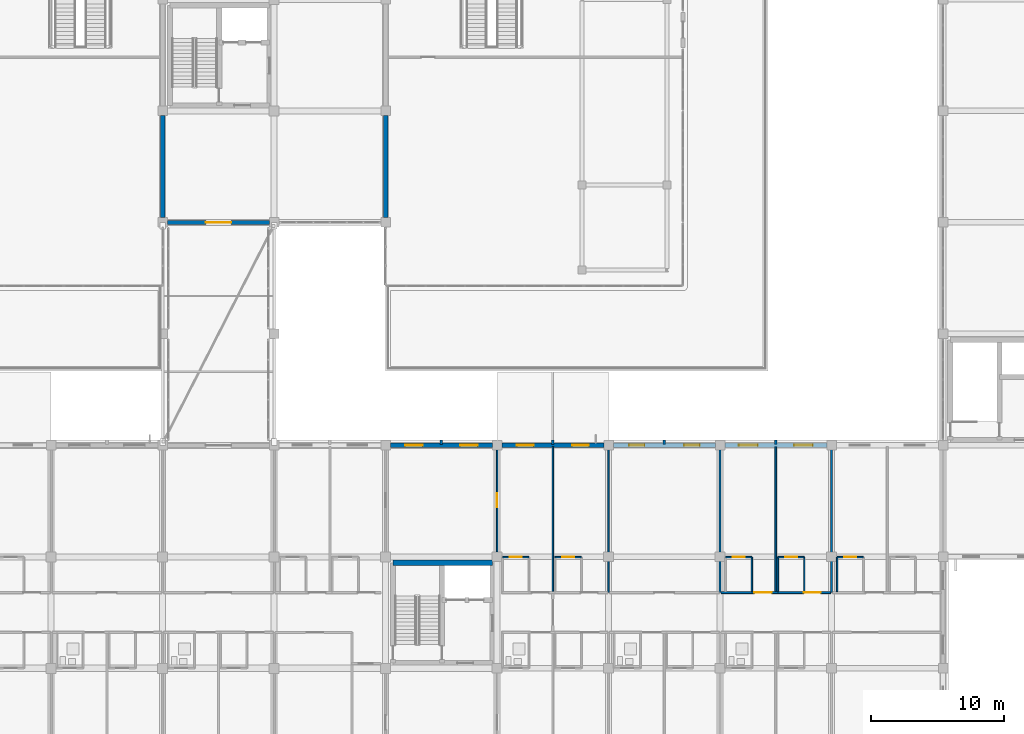
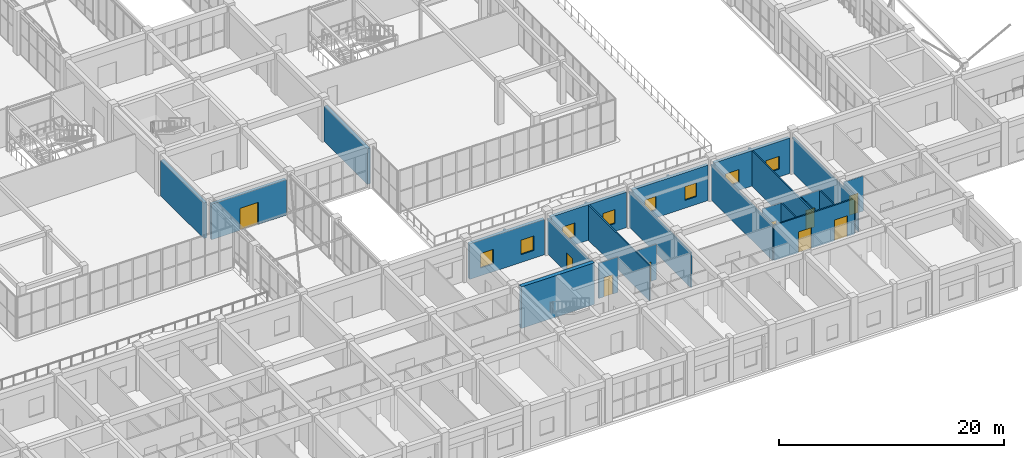
# One storey, part 123 of 158: 28 walls, 9 doors, 8 windows, 17 openings.
"""IFC4 building model written with IfcOpenShell, lengths in metres."""

import ifcopenshell
import ifcopenshell.guid

model = None  # the IFC model being written
_history = None  # IfcOwnerHistory: only IFC2X3 demands one
_inside = {}  # id of a spatial element -> (the spatial element, [elements in it])
_under = {}  # id of a project, library or spatial element -> (it, [spatial elements below it])
_declared = {}  # id of a project -> (the project, [libraries it declares])
_typed = {}  # id of a type object -> (the type object, [elements of that type])
_made_of = {}  # id of a material, layer set ... -> (it, [elements and type objects made of it])


def new_model(schema):
    """Start an empty IFC model of exactly this schema.

    Asked for "IFC4X3", IfcOpenShell would pick the latest addendum, in which some entities
    have other attributes; the version numbers below select the first issue.
    IFC2X3 requires an IfcOwnerHistory on every rooted entity: one is made here for all.
    """
    global model, _history
    if schema == "IFC4X3":
        model = ifcopenshell.file(schema_version=(4, 3, 0, 0))
    else:
        model = ifcopenshell.file(schema=schema)
    _inside.clear()
    _under.clear()
    _declared.clear()
    _typed.clear()
    _made_of.clear()
    _history = None
    if model.schema == "IFC2X3":
        org = make("IfcOrganization", Name="unknown")
        user = make(
            "IfcPersonAndOrganization",
            ThePerson=make("IfcPerson", FamilyName="unknown"),
            TheOrganization=org,
        )
        app = make(
            "IfcApplication",
            ApplicationDeveloper=org,
            Version="unknown",
            ApplicationFullName="unknown",
            ApplicationIdentifier="unknown",
        )
        _history = make(
            "IfcOwnerHistory",
            OwningUser=user,
            OwningApplication=app,
            ChangeAction="ADDED",
            CreationDate=0,
        )
    return model


def make(cls, **values):
    """One entity of the class cls with the attributes given. An attribute that is None is left unset."""
    return model.create_entity(
        cls, **{name: value for name, value in values.items() if value is not None}
    )


def rooted(cls, **values):
    """An entity with a GlobalId (a new one), such as an element, a storey or a relation."""
    return make(cls, GlobalId=ifcopenshell.guid.new(), OwnerHistory=_history, **values)


def si_unit(unit_type, name, prefix=None):
    """IfcSIUnit, for example si_unit("LENGTHUNIT", "METRE", prefix="MILLI")."""
    return make("IfcSIUnit", UnitType=unit_type, Prefix=prefix, Name=name)


def assignment(units):
    """IfcUnitAssignment: the units of a project."""
    return None if units is None else make("IfcUnitAssignment", Units=units)


def point(xyz):
    """IfcCartesianPoint."""
    return None if xyz is None else make("IfcCartesianPoint", Coordinates=xyz)


def direction(xyz):
    """IfcDirection."""
    return None if xyz is None else make("IfcDirection", DirectionRatios=xyz)


def frame(location, z_axis=None, x_axis=None):
    """IfcAxis2Placement3D, a coordinate frame: its origin and axes. An axis left out is left unset."""
    return make(
        "IfcAxis2Placement3D",
        Location=point(location),
        Axis=direction(z_axis),
        RefDirection=direction(x_axis),
    )


def frame_2d(location, x_axis=None):
    """IfcAxis2Placement2D, a coordinate frame in the plane: its origin and x axis."""
    return make(
        "IfcAxis2Placement2D", Location=point(location), RefDirection=direction(x_axis)
    )


def origin():
    """The frame at (0, 0, 0) with its axes left unset."""
    return frame((0.0, 0.0, 0.0))


def place(relative_to, where):
    """IfcLocalPlacement: puts the frame where relative to a parent placement (None: the world)."""
    return make(
        "IfcLocalPlacement", PlacementRelTo=relative_to, RelativePlacement=where
    )


def context(
    kind, dimensions, precision=None, world=None, true_north=None, identifier=None
):
    """IfcGeometricRepresentationContext, for example the 3D "Model" context."""
    return make(
        "IfcGeometricRepresentationContext",
        ContextIdentifier=identifier,
        ContextType=kind,
        CoordinateSpaceDimension=dimensions,
        Precision=precision,
        WorldCoordinateSystem=world,
        TrueNorth=true_north,
    )


def subcontext(parent, identifier, kind, view, scale=None):
    """IfcGeometricRepresentationSubContext, for example "Body" below "Model"."""
    return make(
        "IfcGeometricRepresentationSubContext",
        ContextIdentifier=identifier,
        ContextType=kind,
        ParentContext=parent,
        TargetScale=scale,
        TargetView=view,
    )


def project(units=None, contexts=None):
    """IfcProject with its units and contexts."""
    return rooted(
        "IfcProject",
        Name="project",
        RepresentationContexts=contexts,
        UnitsInContext=assignment(units),
    )


def spatial(cls, under=None, at=None, **own):
    """A site, building, storey or space (cls), placed at a placement, below another one or the project."""
    s = rooted(cls, ObjectPlacement=at, **own)
    if under is not None:
        _under.setdefault(under.id(), (under, []))[1].append(s)
    return s


def profile(cls, at=None, kind="AREA", **sizes):
    """A parametric profile (cls). Its sizes go by their IFC names, for example OverallWidth=200.0."""
    return make(cls, ProfileType=kind, Position=at, **sizes)


def rectangle(**sizes):
    """IfcRectangleProfileDef."""
    return profile("IfcRectangleProfileDef", **sizes)


def extrude(swept, where, along, depth):
    """IfcExtrudedAreaSolid: the profile swept, set in the frame where, extruded along a direction by depth."""
    return make(
        "IfcExtrudedAreaSolid",
        SweptArea=swept,
        Position=where,
        ExtrudedDirection=direction(along),
        Depth=depth,
    )


def shape(context_of_items, identifier, shape_type, items):
    """IfcShapeRepresentation: the items that make up one representation, for example the "Body"."""
    return make(
        "IfcShapeRepresentation",
        ContextOfItems=context_of_items,
        RepresentationIdentifier=identifier,
        RepresentationType=shape_type,
        Items=items,
    )


def material(Name=None, Category=None):
    """IfcMaterial."""
    return make("IfcMaterial", Name=Name, Category=Category)


def layer(
    of_material, thickness, ventilated=None, Name=None, Category=None, Priority=None
):
    """IfcMaterialLayer: one layer of a wall or slab, of a material (None: an air gap)."""
    return make(
        "IfcMaterialLayer",
        Material=of_material,
        LayerThickness=thickness,
        IsVentilated=ventilated,
        Name=Name,
        Category=Category,
        Priority=Priority,
    )


def layer_set(layers, Name=None):
    """IfcMaterialLayerSet."""
    return make("IfcMaterialLayerSet", MaterialLayers=layers, LayerSetName=Name)


def made_of(thing, what):
    """Note that an element or type object is made of a material, layer set ...; save() writes the relation."""
    if what is not None:
        _made_of.setdefault(what.id(), (what, []))[1].append(thing)
    return thing


def type_object(cls, material=None, **own):
    """A type object (cls), such as IfcWallType, which elements share."""
    return made_of(rooted(cls, **own), material)


def element(
    cls,
    number,
    at=None,
    inside=None,
    cuts=None,
    type_object=None,
    material=None,
    context=None,
    identifier="Body",
    shape_type=None,
    held_by="IfcProductDefinitionShape",
    body=None,
    shapes=None,
    **own,
):
    """One element of the class cls, such as IfcWall. Its Tag is "e" and its number.

    at: its placement. inside: the storey or other place that contains it. cuts: it is an
    opening in that element (IfcRelVoidsElement). A single representation is given by context,
    identifier, shape_type and body (its items); several are given by shapes. held_by: the class
    of the entity that holds the representations. save() writes the other relations.
    """
    e = rooted(cls, Tag="e%d" % number, ObjectPlacement=at, **own)
    if body is not None:
        shapes = [shape(context, identifier, shape_type, body)]
    if shapes is not None:
        e.Representation = make(held_by, Representations=shapes)
    if inside is not None:
        _inside.setdefault(inside.id(), (inside, []))[1].append(e)
    if cuts is not None:
        rooted(
            "IfcRelVoidsElement", RelatingBuildingElement=cuts, RelatedOpeningElement=e
        )
    if type_object is not None:
        _typed.setdefault(type_object.id(), (type_object, []))[1].append(e)
    return made_of(e, material)


def fill(opening, filler):
    """IfcRelFillsElement: the door or window that sits in an opening."""
    return rooted(
        "IfcRelFillsElement",
        RelatingOpeningElement=opening,
        RelatedBuildingElement=filler,
    )


def aggregate(whole, parts):
    """IfcRelAggregates: a whole, such as a stair, and the parts it consists of."""
    return rooted("IfcRelAggregates", RelatingObject=whole, RelatedObjects=parts)


def save(model, path):
    """Write the relations noted so far, then the file.

    IfcRelAggregates (storeys below a building ...), IfcRelContainedInSpatialStructure (elements
    in a storey), IfcRelDefinesByType, IfcRelAssociatesMaterial and IfcRelDeclares: one each for
    every whole, place, type object, material and project.
    """
    for whole, parts in _under.values():
        aggregate(whole, parts)
    for where, things in _inside.values():
        rooted(
            "IfcRelContainedInSpatialStructure",
            RelatedElements=things,
            RelatingStructure=where,
        )
    for kind, things in _typed.values():
        rooted("IfcRelDefinesByType", RelatedObjects=things, RelatingType=kind)
    for what, things in _made_of.values():
        rooted("IfcRelAssociatesMaterial", RelatedObjects=things, RelatingMaterial=what)
    for by, libraries in _declared.values():
        rooted("IfcRelDeclares", RelatingContext=by, RelatedDefinitions=libraries)
    model.write(path)


model = new_model("IFC4")

# Units and contexts
model_context = context("Model", 3, precision=1e-05, world=origin(), true_north=direction((0.0, 1.0)))
body_context = subcontext(model_context, "Body", "Model", "MODEL_VIEW")
ifc_project = project(units=[si_unit("LENGTHUNIT", "METRE"), si_unit("AREAUNIT", "SQUARE_METRE"), si_unit("VOLUMEUNIT", "CUBIC_METRE"), si_unit("PLANEANGLEUNIT", "RADIAN"), si_unit("MASSUNIT", "GRAM", prefix="KILO")], contexts=[model_context])

# Site, building, storey
site_placement = place(None, origin())
site = spatial("IfcSite", under=ifc_project, at=site_placement, CompositionType="ELEMENT")
building_placement = place(site_placement, origin())
building = spatial("IfcBuilding", under=site, at=building_placement, Name="Trelvath General Hospital", CompositionType="ELEMENT")
storey_placement = place(building_placement, frame((0.0, 0.0, 8.10009765625)))
storey = spatial("IfcBuildingStorey", under=building, at=storey_placement, Name="L02", CompositionType="ELEMENT", Elevation=8.10009765625)

# Walls
ifc_material_1 = material(Name="Precast concrete C40/50", Category="concrete")
ifc_layer_1 = layer(ifc_material_1, 0.199951171875)
ifc_layer_set_1 = layer_set([ifc_layer_1], Name="Precast concrete C40/50")
wall_type_1 = type_object("IfcWallType", Name="BriseSoleilRib 200", PredefinedType="ELEMENTEDWALL", material=ifc_layer_set_1)
for number, where, z_axis, x_axis, name in (
    (1, (96.60009765625, 25.27490234375, 0.0), (0.0, 0.0, 1.0), (0.0, 1.0, 0.0), "Precast Concrete Brise-Soleil Rib Fin L02-205"),
    (2, (105.0, 25.27490234375, 0.0), (0.0, 0.0, 1.0), (0.0, 1.0, 0.0), "Precast Concrete Brise-Soleil Rib Fin L02-208"),
    (3, (113.39990234375, 25.27490234375, 0.0), (0.0, 0.0, 1.0), (0.0, 1.0, 0.0), "Precast Concrete Brise-Soleil Rib Fin L02-212"),
    (4, (121.800048828125, 25.27490234375, 0.0), (0.0, 0.0, 1.0), (0.0, 1.0, 0.0), "Precast Concrete Brise-Soleil Rib Fin L02-216"),
):
    element("IfcWall", number, at=place(storey_placement, frame(where, z_axis=z_axis, x_axis=x_axis)), inside=storey, type_object=wall_type_1, Name=name, PredefinedType="ELEMENTEDWALL", context=body_context, shape_type="SweptSolid", body=[
        extrude(rectangle(XDim=0.340087890625, YDim=0.199951171875, at=frame_2d((0.169921875, 0.0))), origin(), (0.0, 0.0, 1.0), 3.83984375),
    ])

# Wall, openings, doors
ifc_material_2 = material(Name="Gypsum acoustic steel-stud partition", Category="steel")
ifc_layer_2 = layer(ifc_material_2, 0.14990234375)
ifc_layer_set_2 = layer_set([ifc_layer_2], Name="Gypsum acoustic steel-stud partition")
wall_type_2 = type_object("IfcWallType", Name="ClinicalPartition 150", PredefinedType="PARTITIONING", material=ifc_layer_set_2)
wall_1_placement = place(storey_placement, frame((125.919921875, 14.10009765625, 0.0), z_axis=(0.0, 0.0, 1.0), x_axis=(-1.0, 0.0, 0.0)))
wall_1 = element("IfcWall", 5, at=wall_1_placement, inside=storey, type_object=wall_type_2, Name="Corridor Partition N L02-834", PredefinedType="PARTITIONING", context=body_context, shape_type="SweptSolid", body=[
    extrude(rectangle(XDim=8.239990234375, YDim=0.14990234375, at=frame_2d((4.1201171875, 0.0))), origin(), (0.0, 0.0, 1.0), 3.83984375),
])
opening_1_placement = place(wall_1_placement, frame((0.72998046875, 0.0, 0.0)))
opening_1 = element("IfcOpeningElement", 6, at=opening_1_placement, cuts=wall_1, Name="Opening D-2-0704", PredefinedType="OPENING", context=body_context, shape_type="SweptSolid", body=[
    extrude(rectangle(XDim=1.300048828125, YDim=2.25, at=frame_2d((0.64990234375, 1.125))), frame((0.0, 0.0849609375, 0.0), z_axis=(0.0, -1.0, 0.0), x_axis=(1.0, 0.0, 0.0)), (0.0, 0.0, 1.0), 0.169921875),
])
opening_2_placement = place(wall_1_placement, frame((4.429931640625, 0.0, 0.0)))
opening_2 = element("IfcOpeningElement", 7, at=opening_2_placement, cuts=wall_1, Name="Opening D-2-0705", PredefinedType="OPENING", context=body_context, shape_type="SweptSolid", body=[
    extrude(rectangle(XDim=1.300048828125, YDim=2.25, at=frame_2d((0.64990234375, 1.125))), frame((0.0, 0.0849609375, 0.0), z_axis=(0.0, -1.0, 0.0), x_axis=(1.0, 0.0, 0.0)), (0.0, 0.0, 1.0), 0.169921875),
])
ifc_material_3 = material(Name="Hospital bed-leaf timber door", Category="wood")
door_type_1 = type_object("IfcDoorType", Name="Door PatientBed 1300x2250", OperationType="NOTDEFINED", PredefinedType="DOOR", material=ifc_material_3)
door_1_placement = place(opening_1_placement, origin())
door_1 = element("IfcDoor", 8, at=door_1_placement, inside=storey, type_object=door_type_1, Name="Patient Room Door N L02-704", OperationType="SINGLE_SWING_RIGHT", OverallHeight=2.25, OverallWidth=1.300048828125, PredefinedType="DOOR", context=body_context, shape_type="SweptSolid", body=[
    extrude(rectangle(XDim=1.300048828125, YDim=2.25, at=frame_2d((0.64990234375, 1.125))), frame((0.0, 0.02490234375, 0.0), z_axis=(0.0, -1.0, 0.0), x_axis=(1.0, 0.0, 0.0)), (0.0, 0.0, 1.0), 0.050048828125),
])
fill(opening_1, door_1)
door_2_placement = place(opening_2_placement, origin())
door_2 = element("IfcDoor", 9, at=door_2_placement, inside=storey, type_object=door_type_1, Name="Patient Room Door N L02-705", OperationType="SINGLE_SWING_RIGHT", OverallHeight=2.25, OverallWidth=1.300048828125, PredefinedType="DOOR", context=body_context, shape_type="SweptSolid", body=[
    extrude(rectangle(XDim=1.300048828125, YDim=2.25, at=frame_2d((0.64990234375, 1.125))), frame((0.0, 0.02490234375, 0.0), z_axis=(0.0, -1.0, 0.0), x_axis=(1.0, 0.0, 0.0)), (0.0, 0.0, 1.0), 0.050048828125),
])
fill(opening_2, door_2)

# Wall
ifc_material_4 = material(Name="Concrete C40/50", Category="concrete")
ifc_layer_3 = layer(ifc_material_4, 0.39990234375)
ifc_layer_set_3 = layer_set([ifc_layer_3], Name="Concrete C40/50")
wall_type_3 = type_object("IfcWallType", Name="CoreShearWall 400", PredefinedType="SHEAR", material=ifc_layer_set_3)
wall_2_placement = place(storey_placement, frame((92.949951171875, 16.35009765625, 0.0), z_axis=(0.0, 0.0, 1.0), x_axis=(1.0, 0.0, 0.0)))
element("IfcWall", 10, at=wall_2_placement, inside=storey, type_object=wall_type_3, Name="Core Shear Wall C5 N L02", PredefinedType="SHEAR", context=body_context, shape_type="SweptSolid", body=[
    extrude(rectangle(XDim=7.5, YDim=0.39990234375, at=frame_2d((3.75, 0.0))), origin(), (0.0, 0.0, 1.0), 4.52001953125),
])

# Wall, opening, door
ifc_material_5 = material(Name="Moisture-resistant tile partition")
ifc_layer_4 = layer(ifc_material_5, 0.110107421875)
ifc_layer_set_4 = layer_set([ifc_layer_4], Name="Moisture-resistant tile partition")
wall_type_4 = type_object("IfcWallType", Name="EnSuiteWetWall 110", PredefinedType="PARTITIONING", material=ifc_layer_set_4)
wall_3_placement = place(storey_placement, frame((101.219970703125, 16.780029296875, 0.0), z_axis=(0.0, 0.0, 1.0), x_axis=(1.0, 0.0, 0.0)))
wall_3 = element("IfcWall", 11, at=wall_3_placement, inside=storey, type_object=wall_type_4, Name="En-Suite Bathroom N Partition L02-808", PredefinedType="PARTITIONING", context=body_context, shape_type="SweptSolid", body=[
    extrude(rectangle(XDim=1.97998046875, YDim=0.110107421875, at=frame_2d((0.989990234375, 0.0))), origin(), (0.0, 0.0, 1.0), 3.83984375),
])
opening_3_placement = place(wall_3_placement, frame((0.5400390625, 0.0, 0.0)))
opening_3 = element("IfcOpeningElement", 12, at=opening_3_placement, cuts=wall_3, Name="Opening D-2-0692", PredefinedType="OPENING", context=body_context, shape_type="SweptSolid", body=[
    extrude(rectangle(XDim=0.89990234375, YDim=2.10009765625, at=frame_2d((0.449951171875, 1.050048828125))), frame((0.0, 0.06494140625, 0.0), z_axis=(0.0, -1.0, 0.0), x_axis=(1.0, 0.0, 0.0)), (0.0, 0.0, 1.0), 0.130126953125),
])
ifc_material_6 = material(Name="Moisture-sealed timber leaf", Category="wood")
door_type_2 = type_object("IfcDoorType", Name="Door EnSuite 900x2100", OperationType="NOTDEFINED", PredefinedType="DOOR", material=ifc_material_6)
door_3_placement = place(opening_3_placement, origin())
door_3 = element("IfcDoor", 13, at=door_3_placement, inside=storey, type_object=door_type_2, Name="En-Suite Bathroom N Door L02-692", OperationType="SINGLE_SWING_RIGHT", OverallHeight=2.10009765625, OverallWidth=0.89990234375, PredefinedType="DOOR", context=body_context, shape_type="SweptSolid", body=[
    extrude(rectangle(XDim=0.89990234375, YDim=2.10009765625, at=frame_2d((0.449951171875, 1.050048828125))), frame((0.0, 0.02490234375, 0.0), z_axis=(0.0, -1.0, 0.0), x_axis=(1.0, 0.0, 0.0)), (0.0, 0.0, 1.0), 0.050048828125),
])
fill(opening_3, door_3)

wall_4_placement = place(storey_placement, frame((105.159912109375, 16.780029296875, 0.0), z_axis=(0.0, 0.0, 1.0), x_axis=(1.0, 0.0, 0.0)))
wall_4 = element("IfcWall", 14, at=wall_4_placement, inside=storey, type_object=wall_type_4, Name="En-Suite Bathroom N Partition L02-811", PredefinedType="PARTITIONING", context=body_context, shape_type="SweptSolid", body=[
    extrude(rectangle(XDim=1.97998046875, YDim=0.110107421875, at=frame_2d((0.989990234375, 0.0))), origin(), (0.0, 0.0, 1.0), 3.83984375),
])
opening_4_placement = place(wall_4_placement, frame((0.5400390625, 0.0, 0.0)))
opening_4 = element("IfcOpeningElement", 15, at=opening_4_placement, cuts=wall_4, Name="Opening D-2-0693", PredefinedType="OPENING", context=body_context, shape_type="SweptSolid", body=[
    extrude(rectangle(XDim=0.89990234375, YDim=2.10009765625, at=frame_2d((0.449951171875, 1.050048828125))), frame((0.0, 0.06494140625, 0.0), z_axis=(0.0, -1.0, 0.0), x_axis=(1.0, 0.0, 0.0)), (0.0, 0.0, 1.0), 0.130126953125),
])
door_4_placement = place(opening_4_placement, origin())
door_4 = element("IfcDoor", 16, at=door_4_placement, inside=storey, type_object=door_type_2, Name="En-Suite Bathroom N Door L02-693", OperationType="SINGLE_SWING_LEFT", OverallHeight=2.10009765625, OverallWidth=0.89990234375, PredefinedType="DOOR", context=body_context, shape_type="SweptSolid", body=[
    extrude(rectangle(XDim=0.89990234375, YDim=2.10009765625, at=frame_2d((0.449951171875, 1.050048828125))), frame((0.0, 0.02490234375, 0.0), z_axis=(0.0, -1.0, 0.0), x_axis=(1.0, 0.0, 0.0)), (0.0, 0.0, 1.0), 0.050048828125),
])
fill(opening_4, door_4)

# Wall
wall_5_placement = place(storey_placement, frame((120.0, 14.169921875, 0.0), z_axis=(0.0, 0.0, 1.0), x_axis=(0.0, 1.0, 0.0)))
element("IfcWall", 17, at=wall_5_placement, inside=storey, type_object=wall_type_4, Name="En-Suite E Wall N L02-837", PredefinedType="PARTITIONING", context=body_context, shape_type="SweptSolid", body=[
    extrude(rectangle(XDim=2.610107421875, YDim=0.110107421875, at=frame_2d((1.30517578125, 0.0))), origin(), (0.0, 0.0, 1.0), 3.83984375),
])

# Wall, opening, door
wall_6_placement = place(storey_placement, frame((118.02001953125, 16.780029296875, 0.0), z_axis=(0.0, 0.0, 1.0), x_axis=(1.0, 0.0, 0.0)))
wall_6 = element("IfcWall", 18, at=wall_6_placement, inside=storey, type_object=wall_type_4, Name="En-Suite Bathroom N Partition L02-838", PredefinedType="PARTITIONING", context=body_context, shape_type="SweptSolid", body=[
    extrude(rectangle(XDim=1.97998046875, YDim=0.110107421875, at=frame_2d((0.989990234375, 0.0))), origin(), (0.0, 0.0, 1.0), 3.83984375),
])
opening_5_placement = place(wall_6_placement, frame((0.5400390625, 0.0, 0.0)))
opening_5 = element("IfcOpeningElement", 19, at=opening_5_placement, cuts=wall_6, Name="Opening D-2-0706", PredefinedType="OPENING", context=body_context, shape_type="SweptSolid", body=[
    extrude(rectangle(XDim=0.89990234375, YDim=2.10009765625, at=frame_2d((0.449951171875, 1.050048828125))), frame((0.0, 0.06494140625, 0.0), z_axis=(0.0, -1.0, 0.0), x_axis=(1.0, 0.0, 0.0)), (0.0, 0.0, 1.0), 0.130126953125),
])
door_5_placement = place(opening_5_placement, origin())
door_5 = element("IfcDoor", 20, at=door_5_placement, inside=storey, type_object=door_type_2, Name="En-Suite Bathroom N Door L02-706", OperationType="SINGLE_SWING_LEFT", OverallHeight=2.10009765625, OverallWidth=0.89990234375, PredefinedType="DOOR", context=body_context, shape_type="SweptSolid", body=[
    extrude(rectangle(XDim=0.89990234375, YDim=2.10009765625, at=frame_2d((0.449951171875, 1.050048828125))), frame((0.0, 0.02490234375, 0.0), z_axis=(0.0, -1.0, 0.0), x_axis=(1.0, 0.0, 0.0)), (0.0, 0.0, 1.0), 0.050048828125),
])
fill(opening_5, door_5)

# Walls
for number, where, z_axis, x_axis, name in (
    (21, (121.9599609375, 14.169921875, 0.0), (0.0, 0.0, 1.0), (0.0, 1.0, 0.0), "En-Suite W Wall N L02-839"),
    (22, (123.93994140625, 14.169921875, 0.0), (0.0, 0.0, 1.0), (0.0, 1.0, 0.0), "En-Suite E Wall N L02-840"),
):
    element("IfcWall", number, at=place(storey_placement, frame(where, z_axis=z_axis, x_axis=x_axis)), inside=storey, type_object=wall_type_4, Name=name, PredefinedType="PARTITIONING", context=body_context, shape_type="SweptSolid", body=[
        extrude(rectangle(XDim=2.610107421875, YDim=0.110107421875, at=frame_2d((1.30517578125, 0.0))), origin(), (0.0, 0.0, 1.0), 3.83984375),
    ])

# Wall, opening, door
wall_7_placement = place(storey_placement, frame((121.9599609375, 16.780029296875, 0.0), z_axis=(0.0, 0.0, 1.0), x_axis=(1.0, 0.0, 0.0)))
wall_7 = element("IfcWall", 23, at=wall_7_placement, inside=storey, type_object=wall_type_4, Name="En-Suite Bathroom N Partition L02-841", PredefinedType="PARTITIONING", context=body_context, shape_type="SweptSolid", body=[
    extrude(rectangle(XDim=1.97998046875, YDim=0.110107421875, at=frame_2d((0.989990234375, 0.0))), origin(), (0.0, 0.0, 1.0), 3.83984375),
])
opening_6_placement = place(wall_7_placement, frame((0.5400390625, 0.0, 0.0)))
opening_6 = element("IfcOpeningElement", 24, at=opening_6_placement, cuts=wall_7, Name="Opening D-2-0707", PredefinedType="OPENING", context=body_context, shape_type="SweptSolid", body=[
    extrude(rectangle(XDim=0.89990234375, YDim=2.10009765625, at=frame_2d((0.449951171875, 1.050048828125))), frame((0.0, 0.06494140625, 0.0), z_axis=(0.0, -1.0, 0.0), x_axis=(1.0, 0.0, 0.0)), (0.0, 0.0, 1.0), 0.130126953125),
])
door_6_placement = place(opening_6_placement, origin())
door_6 = element("IfcDoor", 25, at=door_6_placement, inside=storey, type_object=door_type_2, Name="En-Suite Bathroom N Door L02-707", OperationType="SINGLE_SWING_RIGHT", OverallHeight=2.10009765625, OverallWidth=0.89990234375, PredefinedType="DOOR", context=body_context, shape_type="SweptSolid", body=[
    extrude(rectangle(XDim=0.89990234375, YDim=2.10009765625, at=frame_2d((0.449951171875, 1.050048828125))), frame((0.0, 0.02490234375, 0.0), z_axis=(0.0, -1.0, 0.0), x_axis=(1.0, 0.0, 0.0)), (0.0, 0.0, 1.0), 0.050048828125),
])
fill(opening_6, door_6)

# Wall
wall_8_placement = place(storey_placement, frame((126.419921875, 14.169921875, 0.0), z_axis=(0.0, 0.0, 1.0), x_axis=(0.0, 1.0, 0.0)))
element("IfcWall", 26, at=wall_8_placement, inside=storey, type_object=wall_type_4, Name="En-Suite W Wall N L02-848", PredefinedType="PARTITIONING", context=body_context, shape_type="SweptSolid", body=[
    extrude(rectangle(XDim=2.610107421875, YDim=0.110107421875, at=frame_2d((1.30517578125, 0.0))), origin(), (0.0, 0.0, 1.0), 3.83984375),
])

# Wall, opening, door
wall_9_placement = place(storey_placement, frame((126.419921875, 16.780029296875, 0.0), z_axis=(0.0, 0.0, 1.0), x_axis=(1.0, 0.0, 0.0)))
wall_9 = element("IfcWall", 27, at=wall_9_placement, inside=storey, type_object=wall_type_4, Name="En-Suite Bathroom N Partition L02-850", PredefinedType="PARTITIONING", context=body_context, shape_type="SweptSolid", body=[
    extrude(rectangle(XDim=1.97998046875, YDim=0.110107421875, at=frame_2d((0.989990234375, 0.0))), origin(), (0.0, 0.0, 1.0), 3.83984375),
])
opening_7_placement = place(wall_9_placement, frame((0.5400390625, 0.0, 0.0)))
opening_7 = element("IfcOpeningElement", 28, at=opening_7_placement, cuts=wall_9, Name="Opening D-2-0711", PredefinedType="OPENING", context=body_context, shape_type="SweptSolid", body=[
    extrude(rectangle(XDim=0.89990234375, YDim=2.10009765625, at=frame_2d((0.449951171875, 1.050048828125))), frame((0.0, 0.06494140625, 0.0), z_axis=(0.0, -1.0, 0.0), x_axis=(1.0, 0.0, 0.0)), (0.0, 0.0, 1.0), 0.130126953125),
])
door_7_placement = place(opening_7_placement, origin())
door_7 = element("IfcDoor", 29, at=door_7_placement, inside=storey, type_object=door_type_2, Name="En-Suite Bathroom N Door L02-711", OperationType="SINGLE_SWING_RIGHT", OverallHeight=2.10009765625, OverallWidth=0.89990234375, PredefinedType="DOOR", context=body_context, shape_type="SweptSolid", body=[
    extrude(rectangle(XDim=0.89990234375, YDim=2.10009765625, at=frame_2d((0.449951171875, 1.050048828125))), frame((0.0, 0.02490234375, 0.0), z_axis=(0.0, -1.0, 0.0), x_axis=(1.0, 0.0, 0.0)), (0.0, 0.0, 1.0), 0.050048828125),
])
fill(opening_7, door_7)

ifc_material_7 = material(Name="Concrete C35/45", Category="concrete")
ifc_layer_5 = layer(ifc_material_7, 0.2900390625)
ifc_layer_set_5 = layer_set([ifc_layer_5], Name="Concrete C35/45")
wall_type_5 = type_object("IfcWallType", Name="ExtBushHammeredWall 290", PredefinedType="SOLIDWALL", material=ifc_layer_set_5)
wall_10_placement = place(storey_placement, frame((83.64501953125, 42.0, 0.0), z_axis=(0.0, 0.0, 1.0), x_axis=(-1.0, 0.0, 0.0)))
wall_10 = element("IfcWall", 30, at=wall_10_placement, inside=storey, type_object=wall_type_5, Name="Bridge Portal Wall BRG-S-C L02", PredefinedType="SOLIDWALL", context=body_context, shape_type="SweptSolid", body=[
    extrude(rectangle(XDim=7.68994140625, YDim=0.2900390625, at=frame_2d((3.844970703125, 0.0))), origin(), (0.0, 0.0, 1.0), 3.85986328125),
])
opening_8_placement = place(wall_10_placement, frame((2.89501953125, 0.0, 0.0)))
opening_8 = element("IfcOpeningElement", 31, at=opening_8_placement, cuts=wall_10, Name="Opening BP-2-043", PredefinedType="OPENING", context=body_context, shape_type="SweptSolid", body=[
    extrude(rectangle(XDim=1.89990234375, YDim=2.39990234375, at=frame_2d((0.949951171875, 1.199951171875))), frame((0.0, 0.155029296875, 0.0), z_axis=(0.0, -1.0, 0.0), x_axis=(1.0, 0.0, 0.0)), (0.0, 0.0, 1.0), 0.31005859375),
])
ifc_material_8 = material(Name="Thermally broken glazed aluminium pair", Category="aluminium")
door_type_3 = type_object("IfcDoorType", Name="Door BridgeEntry 1900x2400", OperationType="DOUBLE_SWING_LEFT", PredefinedType="DOOR", material=ifc_material_8)
door_8_placement = place(opening_8_placement, origin())
door_8 = element("IfcDoor", 32, at=door_8_placement, inside=storey, type_object=door_type_3, Name="Glazed Bridge Portal Door BRG-S-C L02", OperationType="DOUBLE_SWING_LEFT", OverallHeight=2.39990234375, OverallWidth=1.89990234375, PredefinedType="DOOR", context=body_context, shape_type="SweptSolid", body=[
    extrude(rectangle(XDim=1.89990234375, YDim=2.39990234375, at=frame_2d((0.949951171875, 1.199951171875))), frame((0.0, 0.02490234375, 0.0), z_axis=(0.0, -1.0, 0.0), x_axis=(1.0, 0.0, 0.0)), (0.0, 0.0, 1.0), 0.050048828125),
])
fill(opening_8, door_8)

# Walls
ifc_material_9 = material(Name="Concrete C35/45", Category="concrete")
ifc_layer_6 = layer(ifc_material_9, 0.320068359375)
ifc_layer_set_6 = layer_set([ifc_layer_6], Name="Concrete C35/45")
wall_type_6 = type_object("IfcWallType", Name="ExtThermalWall 320", PredefinedType="SOLIDWALL", material=ifc_layer_set_6)
for number, where, z_axis, x_axis, name in (
    (33, (75.60009765625, 42.35498046875, 0.0), (0.0, 0.0, 1.0), (0.0, 1.0, 0.0), "Exterior Concrete Wall L02-269"),
    (34, (92.39990234375, 50.044921875, 0.0), (0.0, 0.0, 1.0), (0.0, -1.0, 0.0), "Exterior Concrete Wall L02-277"),
):
    element("IfcWall", number, at=place(storey_placement, frame(where, z_axis=z_axis, x_axis=x_axis)), inside=storey, type_object=wall_type_6, Name=name, PredefinedType="SOLIDWALL", context=body_context, shape_type="SweptSolid", body=[
        extrude(rectangle(XDim=7.68994140625, YDim=0.320068359375, at=frame_2d((3.844970703125, 0.0))), origin(), (0.0, 0.0, 1.0), 3.85986328125),
    ])

# Wall, openings, windows
wall_11_placement = place(storey_placement, frame((92.7548828125, 25.199951171875, 0.0), z_axis=(0.0, 0.0, 1.0), x_axis=(1.0, 0.0, 0.0)))
wall_11 = element("IfcWall", 35, at=wall_11_placement, inside=storey, type_object=wall_type_6, Name="Exterior Concrete Wall L02-282", PredefinedType="SOLIDWALL", context=body_context, shape_type="SweptSolid", body=[
    extrude(rectangle(XDim=7.690185546875, YDim=0.320068359375, at=frame_2d((3.84521484375, 0.0))), origin(), (0.0, 0.0, 1.0), 3.85986328125),
])
opening_9_placement = place(wall_11_placement, frame((1.108642578125, 0.0, 0.85009765625)))
opening_9 = element("IfcOpeningElement", 36, at=opening_9_placement, cuts=wall_11, Name="Opening WN-2-441", PredefinedType="OPENING", context=body_context, shape_type="SweptSolid", body=[
    extrude(rectangle(XDim=1.320068359375, YDim=1.580078125, at=frame_2d((0.66015625, 0.7900390625))), frame((0.0, 0.169921875, 0.0), z_axis=(0.0, -1.0, 0.0), x_axis=(1.0, 0.0, 0.0)), (0.0, 0.0, 1.0), 0.340087890625),
])
opening_10_placement = place(wall_11_placement, frame((5.26123046875, 0.0, 0.85009765625)))
opening_10 = element("IfcOpeningElement", 37, at=opening_10_placement, cuts=wall_11, Name="Opening WN-2-442", PredefinedType="OPENING", context=body_context, shape_type="SweptSolid", body=[
    extrude(rectangle(XDim=1.320068359375, YDim=1.580078125, at=frame_2d((0.66015625, 0.7900390625))), frame((0.0, 0.169921875, 0.0), z_axis=(0.0, -1.0, 0.0), x_axis=(1.0, 0.0, 0.0)), (0.0, 0.0, 1.0), 0.340087890625),
])
ifc_material_10 = material(Name="Low-E laminated glass", Category="glass")
window_type_1 = type_object("IfcWindowType", Name="Window Pediatrics 1320x1580", PartitioningType="DOUBLE_PANEL_VERTICAL", PredefinedType="WINDOW", material=ifc_material_10)
window_1_placement = place(opening_9_placement, origin())
window_1 = element("IfcWindow", 38, at=window_1_placement, inside=storey, type_object=window_type_1, Name="Solar Reveal Window L02-441", OverallHeight=1.580078125, OverallWidth=1.320068359375, PartitioningType="SINGLE_PANEL", PredefinedType="WINDOW", context=body_context, shape_type="SweptSolid", body=[
    extrude(rectangle(XDim=1.320068359375, YDim=1.580078125, at=frame_2d((0.66015625, 0.7900390625))), frame((0.0, 0.030029296875, 0.0), z_axis=(0.0, -1.0, 0.0), x_axis=(1.0, 0.0, 0.0)), (0.0, 0.0, 1.0), 0.06005859375),
])
fill(opening_9, window_1)
window_2_placement = place(opening_10_placement, origin())
window_2 = element("IfcWindow", 39, at=window_2_placement, inside=storey, type_object=window_type_1, Name="Solar Reveal Window L02-442", OverallHeight=1.580078125, OverallWidth=1.320068359375, PartitioningType="SINGLE_PANEL", PredefinedType="WINDOW", context=body_context, shape_type="SweptSolid", body=[
    extrude(rectangle(XDim=1.320068359375, YDim=1.580078125, at=frame_2d((0.66015625, 0.7900390625))), frame((0.0, 0.030029296875, 0.0), z_axis=(0.0, -1.0, 0.0), x_axis=(1.0, 0.0, 0.0)), (0.0, 0.0, 1.0), 0.06005859375),
])
fill(opening_10, window_2)

wall_12_placement = place(storey_placement, frame((101.155029296875, 25.199951171875, 0.0), z_axis=(0.0, 0.0, 1.0), x_axis=(1.0, 0.0, 0.0)))
wall_12 = element("IfcWall", 40, at=wall_12_placement, inside=storey, type_object=wall_type_6, Name="Exterior Concrete Wall L02-285", PredefinedType="SOLIDWALL", context=body_context, shape_type="SweptSolid", body=[
    extrude(rectangle(XDim=7.68994140625, YDim=0.320068359375, at=frame_2d((3.844970703125, 0.0))), origin(), (0.0, 0.0, 1.0), 3.85986328125),
])
opening_11_placement = place(wall_12_placement, frame((1.138671875, 0.0, 0.85009765625)))
opening_11 = element("IfcOpeningElement", 41, at=opening_11_placement, cuts=wall_12, Name="Opening WN-2-447", PredefinedType="OPENING", context=body_context, shape_type="SweptSolid", body=[
    extrude(rectangle(XDim=1.260009765625, YDim=1.52001953125, at=frame_2d((0.6298828125, 0.760009765625))), frame((0.0, 0.169921875, 0.0), z_axis=(0.0, -1.0, 0.0), x_axis=(1.0, 0.0, 0.0)), (0.0, 0.0, 1.0), 0.340087890625),
])
opening_12_placement = place(wall_12_placement, frame((5.291259765625, 0.0, 0.85009765625)))
opening_12 = element("IfcOpeningElement", 42, at=opening_12_placement, cuts=wall_12, Name="Opening WN-2-448", PredefinedType="OPENING", context=body_context, shape_type="SweptSolid", body=[
    extrude(rectangle(XDim=1.260009765625, YDim=1.52001953125, at=frame_2d((0.6298828125, 0.760009765625))), frame((0.0, 0.169921875, 0.0), z_axis=(0.0, -1.0, 0.0), x_axis=(1.0, 0.0, 0.0)), (0.0, 0.0, 1.0), 0.340087890625),
])
ifc_material_11 = material(Name="Low-E laminated glass", Category="glass")
window_type_2 = type_object("IfcWindowType", Name="Window Oncology 1260x1520", PartitioningType="SINGLE_PANEL", PredefinedType="WINDOW", material=ifc_material_11)
window_3_placement = place(opening_11_placement, origin())
window_3 = element("IfcWindow", 43, at=window_3_placement, inside=storey, type_object=window_type_2, Name="Solar Reveal Window L02-447", OverallHeight=1.52001953125, OverallWidth=1.260009765625, PartitioningType="SINGLE_PANEL", PredefinedType="WINDOW", context=body_context, shape_type="SweptSolid", body=[
    extrude(rectangle(XDim=1.260009765625, YDim=1.52001953125, at=frame_2d((0.6298828125, 0.760009765625))), frame((0.0, 0.030029296875, 0.0), z_axis=(0.0, -1.0, 0.0), x_axis=(1.0, 0.0, 0.0)), (0.0, 0.0, 1.0), 0.06005859375),
])
fill(opening_11, window_3)
window_4_placement = place(opening_12_placement, origin())
window_4 = element("IfcWindow", 44, at=window_4_placement, inside=storey, type_object=window_type_2, Name="Solar Reveal Window L02-448", OverallHeight=1.52001953125, OverallWidth=1.260009765625, PartitioningType="SINGLE_PANEL", PredefinedType="WINDOW", context=body_context, shape_type="SweptSolid", body=[
    extrude(rectangle(XDim=1.260009765625, YDim=1.52001953125, at=frame_2d((0.6298828125, 0.760009765625))), frame((0.0, 0.030029296875, 0.0), z_axis=(0.0, -1.0, 0.0), x_axis=(1.0, 0.0, 0.0)), (0.0, 0.0, 1.0), 0.06005859375),
])
fill(opening_12, window_4)

wall_13_placement = place(storey_placement, frame((109.554931640625, 25.199951171875, 0.0), z_axis=(0.0, 0.0, 1.0), x_axis=(1.0, 0.0, 0.0)))
wall_13 = element("IfcWall", 45, at=wall_13_placement, inside=storey, type_object=wall_type_6, Name="Exterior Concrete Wall L02-289", PredefinedType="SOLIDWALL", context=body_context, shape_type="SweptSolid", body=[
    extrude(rectangle(XDim=7.690185546875, YDim=0.320068359375, at=frame_2d((3.84521484375, 0.0))), origin(), (0.0, 0.0, 1.0), 3.85986328125),
])
opening_13_placement = place(wall_13_placement, frame((1.188720703125, 0.0, 0.85009765625)))
opening_13 = element("IfcOpeningElement", 46, at=opening_13_placement, cuts=wall_13, Name="Opening WN-2-455", PredefinedType="OPENING", context=body_context, shape_type="SweptSolid", body=[
    extrude(rectangle(XDim=1.159912109375, YDim=1.47998046875, at=frame_2d((0.580078125, 0.739990234375))), frame((0.0, 0.169921875, 0.0), z_axis=(0.0, -1.0, 0.0), x_axis=(1.0, 0.0, 0.0)), (0.0, 0.0, 1.0), 0.340087890625),
])
opening_14_placement = place(wall_13_placement, frame((5.34130859375, 0.0, 0.85009765625)))
opening_14 = element("IfcOpeningElement", 47, at=opening_14_placement, cuts=wall_13, Name="Opening WN-2-456", PredefinedType="OPENING", context=body_context, shape_type="SweptSolid", body=[
    extrude(rectangle(XDim=1.159912109375, YDim=1.47998046875, at=frame_2d((0.580078125, 0.739990234375))), frame((0.0, 0.169921875, 0.0), z_axis=(0.0, -1.0, 0.0), x_axis=(1.0, 0.0, 0.0)), (0.0, 0.0, 1.0), 0.340087890625),
])
ifc_material_12 = material(Name="Low-E laminated glass", Category="glass")
window_type_3 = type_object("IfcWindowType", Name="Window Cardiology 1160x1480", PartitioningType="SINGLE_PANEL", PredefinedType="WINDOW", material=ifc_material_12)
window_5_placement = place(opening_13_placement, origin())
window_5 = element("IfcWindow", 48, at=window_5_placement, inside=storey, type_object=window_type_3, Name="Solar Reveal Window L02-455", OverallHeight=1.47998046875, OverallWidth=1.159912109375, PartitioningType="SINGLE_PANEL", PredefinedType="WINDOW", context=body_context, shape_type="SweptSolid", body=[
    extrude(rectangle(XDim=1.159912109375, YDim=1.47998046875, at=frame_2d((0.580078125, 0.739990234375))), frame((0.0, 0.030029296875, 0.0), z_axis=(0.0, -1.0, 0.0), x_axis=(1.0, 0.0, 0.0)), (0.0, 0.0, 1.0), 0.06005859375),
])
fill(opening_13, window_5)
window_6_placement = place(opening_14_placement, origin())
window_6 = element("IfcWindow", 49, at=window_6_placement, inside=storey, type_object=window_type_3, Name="Solar Reveal Window L02-456", OverallHeight=1.47998046875, OverallWidth=1.159912109375, PartitioningType="SINGLE_PANEL", PredefinedType="WINDOW", context=body_context, shape_type="SweptSolid", body=[
    extrude(rectangle(XDim=1.159912109375, YDim=1.47998046875, at=frame_2d((0.580078125, 0.739990234375))), frame((0.0, 0.030029296875, 0.0), z_axis=(0.0, -1.0, 0.0), x_axis=(1.0, 0.0, 0.0)), (0.0, 0.0, 1.0), 0.06005859375),
])
fill(opening_14, window_6)

wall_14_placement = place(storey_placement, frame((117.955078125, 25.199951171875, 0.0), z_axis=(0.0, 0.0, 1.0), x_axis=(1.0, 0.0, 0.0)))
wall_14 = element("IfcWall", 50, at=wall_14_placement, inside=storey, type_object=wall_type_6, Name="Exterior Concrete Wall L02-293", PredefinedType="SOLIDWALL", context=body_context, shape_type="SweptSolid", body=[
    extrude(rectangle(XDim=7.68994140625, YDim=0.320068359375, at=frame_2d((3.844970703125, 0.0))), origin(), (0.0, 0.0, 1.0), 3.85986328125),
])
opening_15_placement = place(wall_14_placement, frame((1.068603515625, 0.0, 0.85009765625)))
opening_15 = element("IfcOpeningElement", 51, at=opening_15_placement, cuts=wall_14, Name="Opening WN-2-463", PredefinedType="OPENING", context=body_context, shape_type="SweptSolid", body=[
    extrude(rectangle(XDim=1.39990234375, YDim=1.39990234375, at=frame_2d((0.699951171875, 0.699951171875))), frame((0.0, 0.169921875, 0.0), z_axis=(0.0, -1.0, 0.0), x_axis=(1.0, 0.0, 0.0)), (0.0, 0.0, 1.0), 0.340087890625),
])
opening_16_placement = place(wall_14_placement, frame((5.22119140625, 0.0, 0.85009765625)))
opening_16 = element("IfcOpeningElement", 52, at=opening_16_placement, cuts=wall_14, Name="Opening WN-2-464", PredefinedType="OPENING", context=body_context, shape_type="SweptSolid", body=[
    extrude(rectangle(XDim=1.39990234375, YDim=1.39990234375, at=frame_2d((0.699951171875, 0.699951171875))), frame((0.0, 0.169921875, 0.0), z_axis=(0.0, -1.0, 0.0), x_axis=(1.0, 0.0, 0.0)), (0.0, 0.0, 1.0), 0.340087890625),
])
ifc_material_13 = material(Name="Low-E laminated glass", Category="glass")
window_type_4 = type_object("IfcWindowType", Name="Window Surgical 1400x1400", PartitioningType="DOUBLE_PANEL_VERTICAL", PredefinedType="WINDOW", material=ifc_material_13)
window_7_placement = place(opening_15_placement, origin())
window_7 = element("IfcWindow", 53, at=window_7_placement, inside=storey, type_object=window_type_4, Name="Solar Reveal Window L02-463", OverallHeight=1.39990234375, OverallWidth=1.39990234375, PartitioningType="SINGLE_PANEL", PredefinedType="WINDOW", context=body_context, shape_type="SweptSolid", body=[
    extrude(rectangle(XDim=1.39990234375, YDim=1.39990234375, at=frame_2d((0.699951171875, 0.699951171875))), frame((0.0, 0.030029296875, 0.0), z_axis=(0.0, -1.0, 0.0), x_axis=(1.0, 0.0, 0.0)), (0.0, 0.0, 1.0), 0.06005859375),
])
fill(opening_15, window_7)
window_8_placement = place(opening_16_placement, origin())
window_8 = element("IfcWindow", 54, at=window_8_placement, inside=storey, type_object=window_type_4, Name="Solar Reveal Window L02-464", OverallHeight=1.39990234375, OverallWidth=1.39990234375, PartitioningType="SINGLE_PANEL", PredefinedType="WINDOW", context=body_context, shape_type="SweptSolid", body=[
    extrude(rectangle(XDim=1.39990234375, YDim=1.39990234375, at=frame_2d((0.699951171875, 0.699951171875))), frame((0.0, 0.030029296875, 0.0), z_axis=(0.0, -1.0, 0.0), x_axis=(1.0, 0.0, 0.0)), (0.0, 0.0, 1.0), 0.06005859375),
])
fill(opening_16, window_8)

# Wall, opening, door
ifc_material_14 = material(Name="Gypsum acoustic steel-stud partition", Category="steel")
ifc_layer_7 = layer(ifc_material_14, 0.1298828125)
ifc_layer_set_7 = layer_set([ifc_layer_7], Name="Gypsum acoustic steel-stud partition")
wall_type_7 = type_object("IfcWallType", Name="WardPartition 130", PredefinedType="PARTITIONING", material=ifc_layer_set_7)
wall_15_placement = place(storey_placement, frame((100.800048828125, 17.14990234375, 0.0), z_axis=(0.0, 0.0, 1.0), x_axis=(0.0, 1.0, 0.0)))
wall_15 = element("IfcWall", 55, at=wall_15_placement, inside=storey, type_object=wall_type_7, Name="Inter-Bay Ward Partition N L02-794", PredefinedType="PARTITIONING", context=body_context, shape_type="SweptSolid", body=[
    extrude(rectangle(XDim=7.91015625, YDim=0.1298828125, at=frame_2d((3.955078125, 0.0))), origin(), (0.0, 0.0, 1.0), 3.83984375),
])
opening_17_placement = place(wall_15_placement, frame((3.39990234375, 0.0, 0.0)))
opening_17 = element("IfcOpeningElement", 56, at=opening_17_placement, cuts=wall_15, Name="Opening D-2-0685", PredefinedType="OPENING", context=body_context, shape_type="SweptSolid", body=[
    extrude(rectangle(XDim=1.050048828125, YDim=2.199951171875, at=frame_2d((0.52490234375, 1.10009765625))), frame((0.0, 0.074951171875, 0.0), z_axis=(0.0, -1.0, 0.0), x_axis=(1.0, 0.0, 0.0)), (0.0, 0.0, 1.0), 0.14990234375),
])
ifc_material_15 = material(Name="Acoustic hospital timber leaf", Category="wood")
door_type_4 = type_object("IfcDoorType", Name="Door Consult 1050x2200", OperationType="NOTDEFINED", PredefinedType="DOOR", material=ifc_material_15)
door_9_placement = place(opening_17_placement, origin())
door_9 = element("IfcDoor", 57, at=door_9_placement, inside=storey, type_object=door_type_4, Name="Consultation Connecting Door L02-685", OperationType="SINGLE_SWING_RIGHT", OverallHeight=2.199951171875, OverallWidth=1.050048828125, PredefinedType="DOOR", context=body_context, shape_type="SweptSolid", body=[
    extrude(rectangle(XDim=1.050048828125, YDim=2.199951171875, at=frame_2d((0.52490234375, 1.10009765625))), frame((0.0, 0.02490234375, 0.0), z_axis=(0.0, -1.0, 0.0), x_axis=(1.0, 0.0, 0.0)), (0.0, 0.0, 1.0), 0.050048828125),
])
fill(opening_17, door_9)

# Walls
wall_16_placement = place(storey_placement, frame((105.0, 14.169921875, 0.0), z_axis=(0.0, 0.0, 1.0), x_axis=(0.0, 1.0, 0.0)))
element("IfcWall", 58, at=wall_16_placement, inside=storey, type_object=wall_type_7, Name="Room Dividing Partition N L02-805", PredefinedType="PARTITIONING", context=body_context, shape_type="SweptSolid", body=[
    extrude(rectangle(XDim=10.93017578125, YDim=0.1298828125, at=frame_2d((5.465087890625, 0.0))), origin(), (0.0, 0.0, 1.0), 3.83984375),
])
for number, where, z_axis, x_axis, name in (
    (59, (109.199951171875, 14.1201171875, 0.0), (0.0, 0.0, 1.0), (0.0, 1.0, 0.0), "Inter-Bay Ward Partition N L02-814"),
    (60, (117.60009765625, 14.1201171875, 0.0), (0.0, 0.0, 1.0), (0.0, 1.0, 0.0), "Inter-Bay Ward Partition N L02-825"),
):
    element("IfcWall", number, at=place(storey_placement, frame(where, z_axis=z_axis, x_axis=x_axis)), inside=storey, type_object=wall_type_7, Name=name, PredefinedType="PARTITIONING", context=body_context, shape_type="SweptSolid", body=[
        extrude(rectangle(XDim=10.93994140625, YDim=0.1298828125, at=frame_2d((5.469970703125, 0.0))), origin(), (0.0, 0.0, 1.0), 3.83984375),
    ])
wall_17_placement = place(storey_placement, frame((121.800048828125, 14.169921875, 0.0), z_axis=(0.0, 0.0, 1.0), x_axis=(0.0, 1.0, 0.0)))
element("IfcWall", 61, at=wall_17_placement, inside=storey, type_object=wall_type_7, Name="Room Dividing Partition N L02-835", PredefinedType="PARTITIONING", context=body_context, shape_type="SweptSolid", body=[
    extrude(rectangle(XDim=10.93017578125, YDim=0.1298828125, at=frame_2d((5.465087890625, 0.0))), origin(), (0.0, 0.0, 1.0), 3.83984375),
])
wall_18_placement = place(storey_placement, frame((126.0, 14.1201171875, 0.0), z_axis=(0.0, 0.0, 1.0), x_axis=(0.0, 1.0, 0.0)))
element("IfcWall", 62, at=wall_18_placement, inside=storey, type_object=wall_type_7, Name="Inter-Bay Ward Partition N L02-843", PredefinedType="PARTITIONING", context=body_context, shape_type="SweptSolid", body=[
    extrude(rectangle(XDim=10.93994140625, YDim=0.1298828125, at=frame_2d((5.469970703125, 0.0))), origin(), (0.0, 0.0, 1.0), 3.83984375),
])

save(model, "model.ifc")
